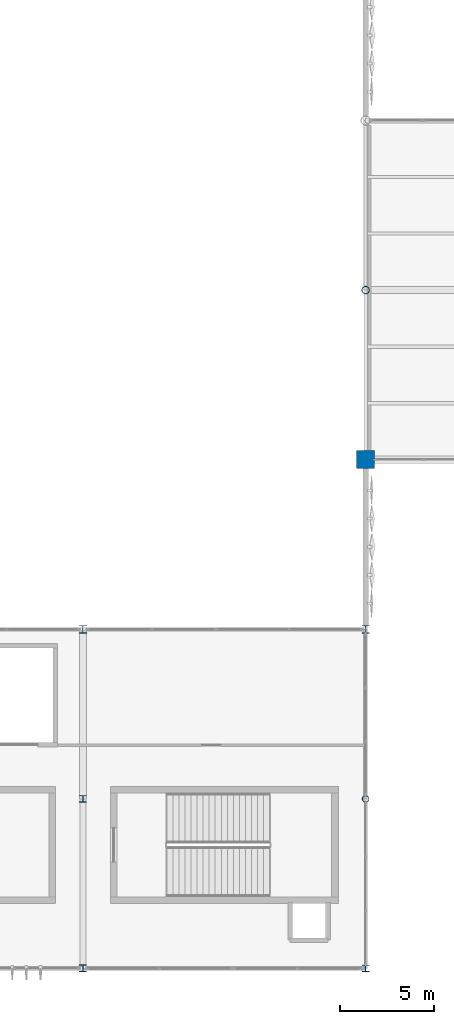
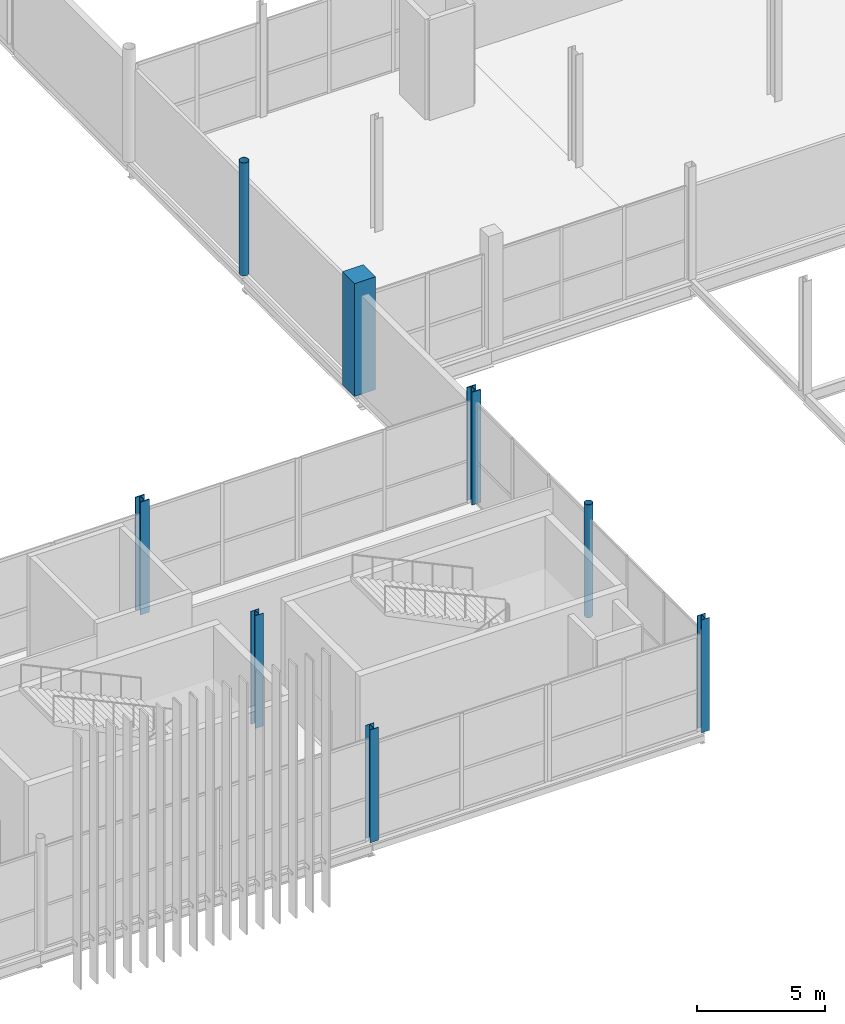
# One storey, part 4 of 119: 8 columns.
"""IFC4 building model written with IfcOpenShell, lengths in metres."""

from ifc_helpers import new_model, si_unit, direction, frame, origin, origin_2d, place, context, subcontext, project, spatial, rectangle, hollow_circle, i_section, extrude, material, material_profile, profile_set, type_object, element, save


model = new_model("IFC4")

# Units and contexts
model_context = context("Model", 3, precision=1e-05, world=origin(), true_north=direction((0.0, 1.0)))
body_context = subcontext(model_context, "Body", "Model", "MODEL_VIEW")
ifc_project = project(units=[si_unit("LENGTHUNIT", "METRE"), si_unit("AREAUNIT", "SQUARE_METRE"), si_unit("VOLUMEUNIT", "CUBIC_METRE"), si_unit("PLANEANGLEUNIT", "RADIAN"), si_unit("MASSUNIT", "GRAM", prefix="KILO")], contexts=[model_context])

# Site, building, storey
site_placement = place(None, origin())
site = spatial("IfcSite", under=ifc_project, at=site_placement, CompositionType="ELEMENT")
building_placement = place(site_placement, origin())
building = spatial("IfcBuilding", under=site, at=building_placement, Name="Qamarlyn Nura Convention Centre", CompositionType="ELEMENT")
storey_placement = place(building_placement, frame((0.0, 0.0, 5.39990234375)))
storey = spatial("IfcBuildingStorey", under=building, at=storey_placement, Name="L01", CompositionType="ELEMENT", Elevation=5.39990234375)

# Columns
ifc_material_1 = material(Name="Concrete C50/60", Category="concrete")
ifc_material_profile_1 = material_profile(ifc_material_1, rectangle(XDim=0.949951171875, YDim=0.949951171875, at=origin_2d()), Name="RC 950x950")
ifc_profile_set_1 = profile_set([ifc_material_profile_1], Name="Concrete C50/60")
column_type_1 = type_object("IfcColumnType", Name="COL-HALL-2", PredefinedType="COLUMN", material=ifc_profile_set_1)
column_1_placement = place(storey_placement, frame((120.0, 27.0, 0.0), z_axis=(0.0, 0.0, 1.0), x_axis=(1.0, 0.0, 0.0)))
element("IfcColumn", 1, at=column_1_placement, inside=storey, type_object=column_type_1, Name="L01 column 9/D", PredefinedType="COLUMN", context=body_context, shape_type="SweptSolid", body=[
    extrude(rectangle(XDim=0.949951171875, YDim=0.949951171875, at=origin_2d()), origin(), (0.0, 0.0, 1.0), 5.400146484375),
])
ifc_material_2 = material(Name="Steel ASTM A992", Category="steel")
ifc_material_profile_2 = material_profile(ifc_material_2, i_section(OverallWidth=0.408935546875, OverallDepth=0.425048828125, WebThickness=0.030517578125, FlangeThickness=0.049072265625, FilletRadius=0.02001953125, at=origin_2d()), Name="W360X421")
ifc_profile_set_2 = profile_set([ifc_material_profile_2], Name="Steel ASTM A992")
column_type_2 = type_object("IfcColumnType", Name="COL-MEGA-1", PredefinedType="COLUMN", material=ifc_profile_set_2)
for number, where, z_axis, x_axis, name in (
    (2, (105.0, 18.0, 0.0), (0.0, 0.0, 1.0), (1.0, 0.0, 0.0), "L01 column 8/C"),
    (3, (120.0, 18.0, 0.0), (0.0, 0.0, 1.0), (1.0, 0.0, 0.0), "L01 column 9/C"),
):
    element("IfcColumn", number, at=place(storey_placement, frame(where, z_axis=z_axis, x_axis=x_axis)), inside=storey, type_object=column_type_2, Name=name, PredefinedType="COLUMN", context=body_context, shape_type="SweptSolid", body=[
        extrude(i_section(OverallWidth=0.408935546875, OverallDepth=0.425048828125, WebThickness=0.030517578125, FlangeThickness=0.049072265625, FilletRadius=0.02001953125, at=origin_2d()), origin(), (0.0, 0.0, 1.0), 5.400146484375),
    ])
ifc_material_3 = material(Name="Pearl-white PVDF steel ASTM A500 Grade C", Category="steel")
ifc_material_profile_3 = material_profile(ifc_material_3, hollow_circle(Radius=0.203125, WallThickness=0.01611328125, at=origin_2d()), Name="CHS406.4X16")
ifc_profile_set_3 = profile_set([ifc_material_profile_3], Name="Pearl-white PVDF steel ASTM A500 Grade C")
column_type_3 = type_object("IfcColumnType", Name="COL-TUBE-1", PredefinedType="COLUMN", material=ifc_profile_set_3)
column_2_placement = place(storey_placement, frame((120.0, 36.0, 0.0), z_axis=(0.0, 0.0, 1.0), x_axis=(1.0, 0.0, 0.0)))
element("IfcColumn", 4, at=column_2_placement, inside=storey, type_object=column_type_3, Name="L01 column 9/E", PredefinedType="COLUMN", context=body_context, shape_type="SweptSolid", body=[
    extrude(hollow_circle(Radius=0.203125, WallThickness=0.01611328125, at=origin_2d()), origin(), (0.0, 0.0, 1.0), 5.400146484375),
])
ifc_material_profile_4 = material_profile(ifc_material_3, hollow_circle(Radius=0.177734375, WallThickness=0.01611328125, at=origin_2d()), Name="CHS355.6X16")
ifc_profile_set_4 = profile_set([ifc_material_profile_4], Name="Pearl-white PVDF steel ASTM A500 Grade C")
column_type_4 = type_object("IfcColumnType", Name="COL-TUBE-2", PredefinedType="COLUMN", material=ifc_profile_set_4)
column_3_placement = place(storey_placement, frame((120.0, 9.0, 0.0), z_axis=(0.0, 0.0, 1.0), x_axis=(1.0, 0.0, 0.0)))
element("IfcColumn", 5, at=column_3_placement, inside=storey, type_object=column_type_4, Name="L01 column 9/B", PredefinedType="COLUMN", context=body_context, shape_type="SweptSolid", body=[
    extrude(hollow_circle(Radius=0.177734375, WallThickness=0.01611328125, at=origin_2d()), origin(), (0.0, 0.0, 1.0), 5.400146484375),
])
ifc_material_profile_5 = material_profile(ifc_material_2, i_section(OverallWidth=0.3740234375, OverallDepth=0.3720703125, WebThickness=0.016357421875, FlangeThickness=0.026123046875, FilletRadius=0.01611328125, at=origin_2d()), Name="W360X196")
ifc_profile_set_5 = profile_set([ifc_material_profile_5], Name="Steel ASTM A992")
column_type_5 = type_object("IfcColumnType", Name="COL-WING-2", PredefinedType="COLUMN", material=ifc_profile_set_5)
column_4_placement = place(storey_placement, frame((105.0, 0.0, 0.0), z_axis=(0.0, 0.0, 1.0), x_axis=(1.0, 0.0, 0.0)))
element("IfcColumn", 6, at=column_4_placement, inside=storey, type_object=column_type_5, Name="L01 column 8/A", PredefinedType="COLUMN", context=body_context, shape_type="SweptSolid", body=[
    extrude(i_section(OverallWidth=0.3740234375, OverallDepth=0.3720703125, WebThickness=0.016357421875, FlangeThickness=0.026123046875, FilletRadius=0.01611328125, at=origin_2d()), origin(), (0.0, 0.0, 1.0), 5.400146484375),
])
ifc_material_profile_6 = material_profile(ifc_material_2, i_section(OverallWidth=0.368896484375, OverallDepth=0.35595703125, WebThickness=0.01123046875, FlangeThickness=0.01806640625, FilletRadius=0.014892578125, at=origin_2d()), Name="W360X134")
ifc_profile_set_6 = profile_set([ifc_material_profile_6], Name="Steel ASTM A992")
column_type_6 = type_object("IfcColumnType", Name="COL-WING-3", PredefinedType="COLUMN", material=ifc_profile_set_6)
for number, where, z_axis, x_axis, name in (
    (7, (105.0, 9.0, 0.0), (0.0, 0.0, 1.0), (1.0, 0.0, 0.0), "L01 column 8/B"),
    (8, (120.0, 0.0, 0.0), (0.0, 0.0, 1.0), (1.0, 0.0, 0.0), "L01 column 9/A"),
):
    element("IfcColumn", number, at=place(storey_placement, frame(where, z_axis=z_axis, x_axis=x_axis)), inside=storey, type_object=column_type_6, Name=name, PredefinedType="COLUMN", context=body_context, shape_type="SweptSolid", body=[
        extrude(i_section(OverallWidth=0.368896484375, OverallDepth=0.35595703125, WebThickness=0.01123046875, FlangeThickness=0.01806640625, FilletRadius=0.014892578125, at=origin_2d()), origin(), (0.0, 0.0, 1.0), 5.400146484375),
    ])

save(model, "model.ifc")
